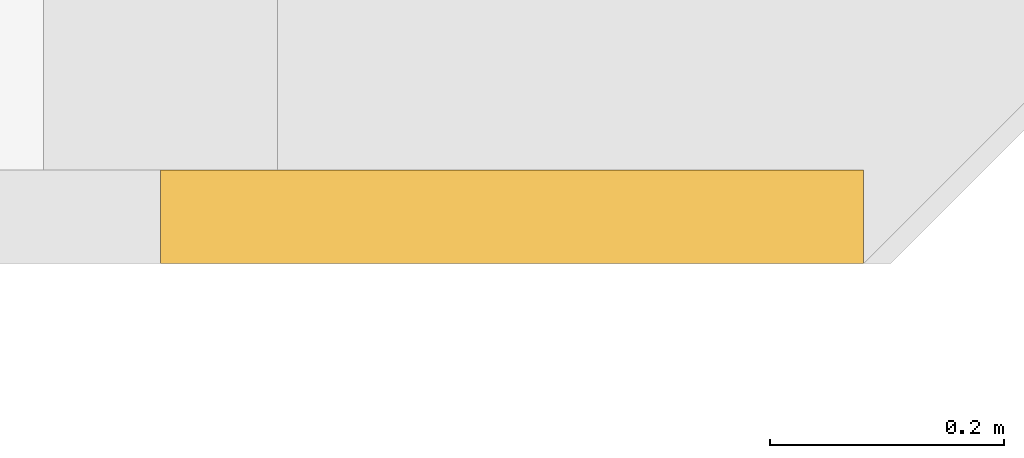
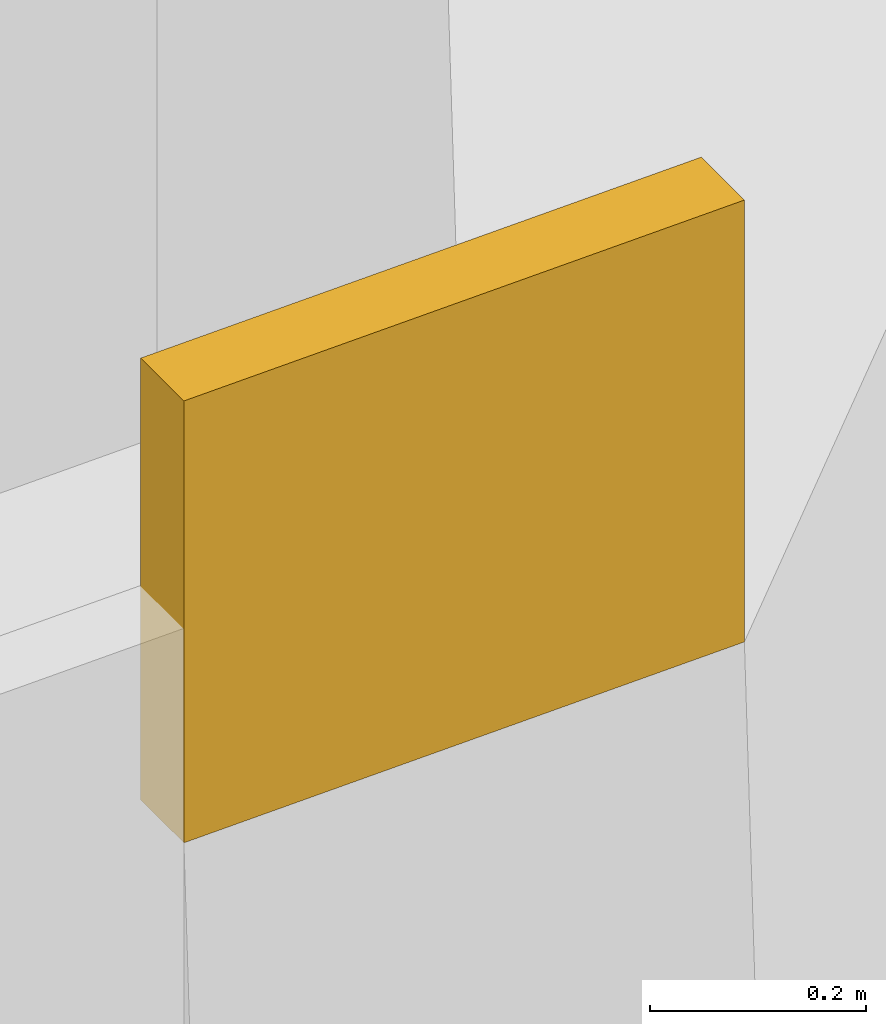
# One storey, part 29 of 30: 1 covering.
"""IFC4 building model written with IfcOpenShell, lengths in metres."""

from ifc_helpers import new_model, si_unit, direction, frame, origin, place, context, subcontext, project, spatial, polyline, outline, extrude, material, layer, layer_set, type_object, element, save


model = new_model("IFC4")

# Units and contexts
model_context = context("Model", 3, precision=1e-05, world=origin(), true_north=direction((0.0, 1.0)))
body_context = subcontext(model_context, "Body", "Model", "MODEL_VIEW")
ifc_project = project(units=[si_unit("LENGTHUNIT", "METRE"), si_unit("AREAUNIT", "SQUARE_METRE"), si_unit("VOLUMEUNIT", "CUBIC_METRE"), si_unit("PLANEANGLEUNIT", "RADIAN"), si_unit("MASSUNIT", "GRAM", prefix="KILO")], contexts=[model_context])

# Site, building, storey
site_placement = place(None, origin())
site = spatial("IfcSite", under=ifc_project, at=site_placement, CompositionType="ELEMENT")
building_placement = place(site_placement, origin())
building = spatial("IfcBuilding", under=site, at=building_placement, Name="Saffron Gate Tower", CompositionType="ELEMENT")
storey_placement = place(building_placement, frame((0.0, 0.0, 165.449951171875)))
storey = spatial("IfcBuildingStorey", under=building, at=storey_placement, Name="L40", CompositionType="ELEMENT", Elevation=165.449951171875)

# Covering
ifc_material = material(Name="Timber, thermally modified ash", Category="wood")
ifc_layer = layer(ifc_material, 0.080078125)
ifc_layer_set = layer_set([ifc_layer], Name="LD2 ledge planter trough")
covering_type = type_object("IfcCoveringType", Name="LD2 ledge planter trough", PredefinedType="CLADDING", material=ifc_layer_set)
covering_placement = place(storey_placement, frame((49.800048828125, 32.39990234375, 3.19580078125), z_axis=(0.0, -1.0, 0.0), x_axis=(0.999582742162, 0.0, 0.028884971385)))
element("IfcCovering", 1, at=covering_placement, inside=storey, type_object=covering_type, Name="LEDGE planter trough", PredefinedType="CLADDING", context=body_context, shape_type="SweptSolid", body=[
    extrude(outline(polyline([(0.0, 0.0), (0.6001039136866089, 0.0), (0.614546399379222, 0.4997913710809928), (0.014442485692613144, 0.49979137108099286), (0.0, 0.0)])), origin(), (0.0, 0.0, -1.0), 0.080078125),
])

save(model, "model.ifc")
